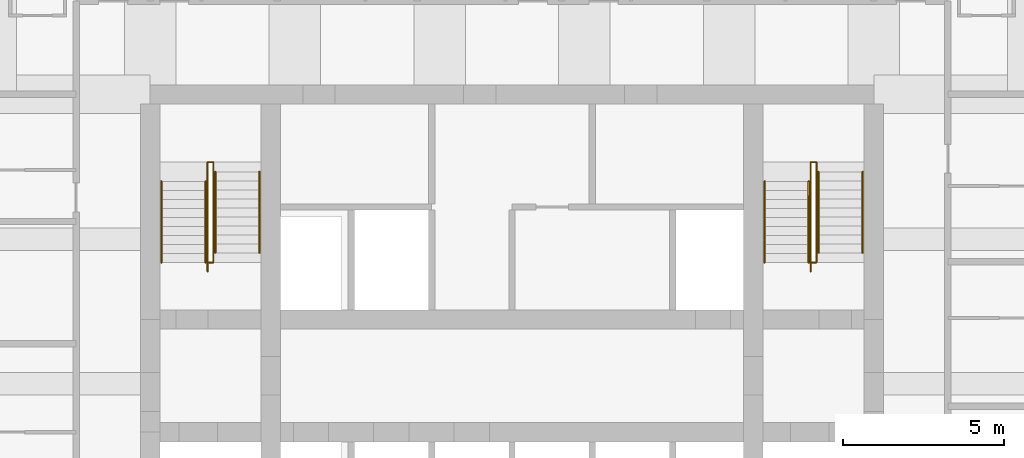
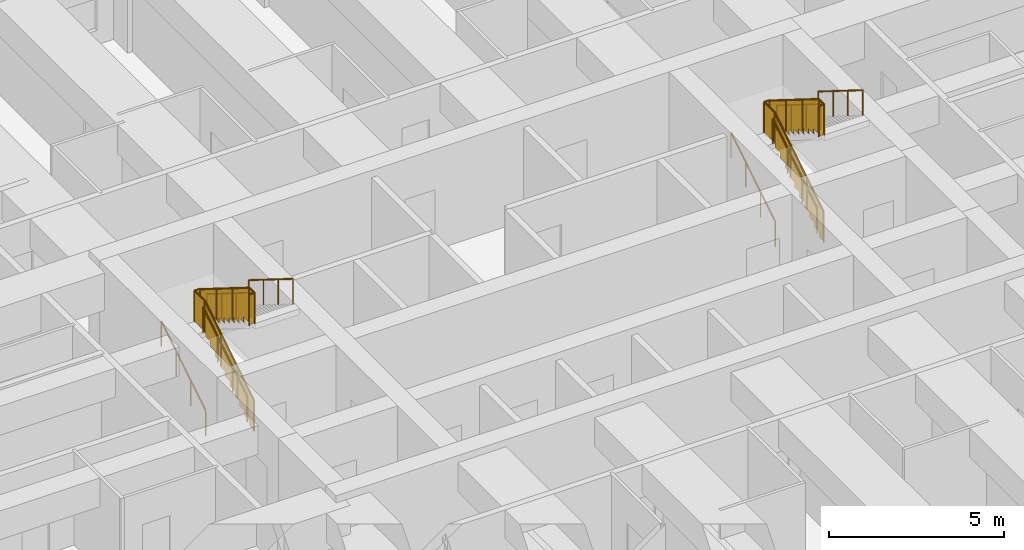
# One storey, part 8 of 8: 12 railings.
"""IFC4 building model written with IfcOpenShell, lengths in metres."""

import ifcopenshell
import ifcopenshell.guid

model = None  # the IFC model being written
_history = None  # IfcOwnerHistory: only IFC2X3 demands one
_inside = {}  # id of a spatial element -> (the spatial element, [elements in it])
_under = {}  # id of a project, library or spatial element -> (it, [spatial elements below it])
_declared = {}  # id of a project -> (the project, [libraries it declares])
_typed = {}  # id of a type object -> (the type object, [elements of that type])
_made_of = {}  # id of a material, layer set ... -> (it, [elements and type objects made of it])


def new_model(schema):
    """Start an empty IFC model of exactly this schema.

    Asked for "IFC4X3", IfcOpenShell would pick the latest addendum, in which some entities
    have other attributes; the version numbers below select the first issue.
    IFC2X3 requires an IfcOwnerHistory on every rooted entity: one is made here for all.
    """
    global model, _history
    if schema == "IFC4X3":
        model = ifcopenshell.file(schema_version=(4, 3, 0, 0))
    else:
        model = ifcopenshell.file(schema=schema)
    _inside.clear()
    _under.clear()
    _declared.clear()
    _typed.clear()
    _made_of.clear()
    _history = None
    if model.schema == "IFC2X3":
        org = make("IfcOrganization", Name="unknown")
        user = make(
            "IfcPersonAndOrganization",
            ThePerson=make("IfcPerson", FamilyName="unknown"),
            TheOrganization=org,
        )
        app = make(
            "IfcApplication",
            ApplicationDeveloper=org,
            Version="unknown",
            ApplicationFullName="unknown",
            ApplicationIdentifier="unknown",
        )
        _history = make(
            "IfcOwnerHistory",
            OwningUser=user,
            OwningApplication=app,
            ChangeAction="ADDED",
            CreationDate=0,
        )
    return model


def make(cls, **values):
    """One entity of the class cls with the attributes given. An attribute that is None is left unset."""
    return model.create_entity(
        cls, **{name: value for name, value in values.items() if value is not None}
    )


def rooted(cls, **values):
    """An entity with a GlobalId (a new one), such as an element, a storey or a relation."""
    return make(cls, GlobalId=ifcopenshell.guid.new(), OwnerHistory=_history, **values)


def si_unit(unit_type, name, prefix=None):
    """IfcSIUnit, for example si_unit("LENGTHUNIT", "METRE", prefix="MILLI")."""
    return make("IfcSIUnit", UnitType=unit_type, Prefix=prefix, Name=name)


def assignment(units):
    """IfcUnitAssignment: the units of a project."""
    return None if units is None else make("IfcUnitAssignment", Units=units)


def point(xyz):
    """IfcCartesianPoint."""
    return None if xyz is None else make("IfcCartesianPoint", Coordinates=xyz)


def direction(xyz):
    """IfcDirection."""
    return None if xyz is None else make("IfcDirection", DirectionRatios=xyz)


def frame(location, z_axis=None, x_axis=None):
    """IfcAxis2Placement3D, a coordinate frame: its origin and axes. An axis left out is left unset."""
    return make(
        "IfcAxis2Placement3D",
        Location=point(location),
        Axis=direction(z_axis),
        RefDirection=direction(x_axis),
    )


def frame_2d(location, x_axis=None):
    """IfcAxis2Placement2D, a coordinate frame in the plane: its origin and x axis."""
    return make(
        "IfcAxis2Placement2D", Location=point(location), RefDirection=direction(x_axis)
    )


def origin():
    """The frame at (0, 0, 0) with its axes left unset."""
    return frame((0.0, 0.0, 0.0))


def origin_2d():
    """The frame at (0, 0) in the plane with its x axis left unset."""
    return frame_2d((0.0, 0.0))


def place(relative_to, where):
    """IfcLocalPlacement: puts the frame where relative to a parent placement (None: the world)."""
    return make(
        "IfcLocalPlacement", PlacementRelTo=relative_to, RelativePlacement=where
    )


def context(
    kind, dimensions, precision=None, world=None, true_north=None, identifier=None
):
    """IfcGeometricRepresentationContext, for example the 3D "Model" context."""
    return make(
        "IfcGeometricRepresentationContext",
        ContextIdentifier=identifier,
        ContextType=kind,
        CoordinateSpaceDimension=dimensions,
        Precision=precision,
        WorldCoordinateSystem=world,
        TrueNorth=true_north,
    )


def subcontext(parent, identifier, kind, view, scale=None):
    """IfcGeometricRepresentationSubContext, for example "Body" below "Model"."""
    return make(
        "IfcGeometricRepresentationSubContext",
        ContextIdentifier=identifier,
        ContextType=kind,
        ParentContext=parent,
        TargetScale=scale,
        TargetView=view,
    )


def project(units=None, contexts=None):
    """IfcProject with its units and contexts."""
    return rooted(
        "IfcProject",
        Name="project",
        RepresentationContexts=contexts,
        UnitsInContext=assignment(units),
    )


def spatial(cls, under=None, at=None, **own):
    """A site, building, storey or space (cls), placed at a placement, below another one or the project."""
    s = rooted(cls, ObjectPlacement=at, **own)
    if under is not None:
        _under.setdefault(under.id(), (under, []))[1].append(s)
    return s


def polyline(points):
    """IfcPolyline through the points."""
    return make("IfcPolyline", Points=[point(p) for p in points])


def profile(cls, at=None, kind="AREA", **sizes):
    """A parametric profile (cls). Its sizes go by their IFC names, for example OverallWidth=200.0."""
    return make(cls, ProfileType=kind, Position=at, **sizes)


def circle(**sizes):
    """IfcCircleProfileDef."""
    return profile("IfcCircleProfileDef", **sizes)


def outline(outer, holes=None, kind="AREA"):
    """IfcArbitraryClosedProfileDef: a profile drawn as a closed curve; with holes, ...WithVoids."""
    if holes is None:
        return make("IfcArbitraryClosedProfileDef", ProfileType=kind, OuterCurve=outer)
    return make(
        "IfcArbitraryProfileDefWithVoids",
        ProfileType=kind,
        OuterCurve=outer,
        InnerCurves=holes,
    )


def extrude(swept, where, along, depth):
    """IfcExtrudedAreaSolid: the profile swept, set in the frame where, extruded along a direction by depth."""
    return make(
        "IfcExtrudedAreaSolid",
        SweptArea=swept,
        Position=where,
        ExtrudedDirection=direction(along),
        Depth=depth,
    )


def shape(context_of_items, identifier, shape_type, items):
    """IfcShapeRepresentation: the items that make up one representation, for example the "Body"."""
    return make(
        "IfcShapeRepresentation",
        ContextOfItems=context_of_items,
        RepresentationIdentifier=identifier,
        RepresentationType=shape_type,
        Items=items,
    )


def material(Name=None, Category=None):
    """IfcMaterial."""
    return make("IfcMaterial", Name=Name, Category=Category)


def made_of(thing, what):
    """Note that an element or type object is made of a material, layer set ...; save() writes the relation."""
    if what is not None:
        _made_of.setdefault(what.id(), (what, []))[1].append(thing)
    return thing


def type_object(cls, material=None, **own):
    """A type object (cls), such as IfcWallType, which elements share."""
    return made_of(rooted(cls, **own), material)


def element(
    cls,
    number,
    at=None,
    inside=None,
    cuts=None,
    type_object=None,
    material=None,
    context=None,
    identifier="Body",
    shape_type=None,
    held_by="IfcProductDefinitionShape",
    body=None,
    shapes=None,
    **own,
):
    """One element of the class cls, such as IfcWall. Its Tag is "e" and its number.

    at: its placement. inside: the storey or other place that contains it. cuts: it is an
    opening in that element (IfcRelVoidsElement). A single representation is given by context,
    identifier, shape_type and body (its items); several are given by shapes. held_by: the class
    of the entity that holds the representations. save() writes the other relations.
    """
    e = rooted(cls, Tag="e%d" % number, ObjectPlacement=at, **own)
    if body is not None:
        shapes = [shape(context, identifier, shape_type, body)]
    if shapes is not None:
        e.Representation = make(held_by, Representations=shapes)
    if inside is not None:
        _inside.setdefault(inside.id(), (inside, []))[1].append(e)
    if cuts is not None:
        rooted(
            "IfcRelVoidsElement", RelatingBuildingElement=cuts, RelatedOpeningElement=e
        )
    if type_object is not None:
        _typed.setdefault(type_object.id(), (type_object, []))[1].append(e)
    return made_of(e, material)


def aggregate(whole, parts):
    """IfcRelAggregates: a whole, such as a stair, and the parts it consists of."""
    return rooted("IfcRelAggregates", RelatingObject=whole, RelatedObjects=parts)


def save(model, path):
    """Write the relations noted so far, then the file.

    IfcRelAggregates (storeys below a building ...), IfcRelContainedInSpatialStructure (elements
    in a storey), IfcRelDefinesByType, IfcRelAssociatesMaterial and IfcRelDeclares: one each for
    every whole, place, type object, material and project.
    """
    for whole, parts in _under.values():
        aggregate(whole, parts)
    for where, things in _inside.values():
        rooted(
            "IfcRelContainedInSpatialStructure",
            RelatedElements=things,
            RelatingStructure=where,
        )
    for kind, things in _typed.values():
        rooted("IfcRelDefinesByType", RelatedObjects=things, RelatingType=kind)
    for what, things in _made_of.values():
        rooted("IfcRelAssociatesMaterial", RelatedObjects=things, RelatingMaterial=what)
    for by, libraries in _declared.values():
        rooted("IfcRelDeclares", RelatingContext=by, RelatedDefinitions=libraries)
    model.write(path)


model = new_model("IFC4")

# Units and contexts
model_context = context("Model", 3, precision=1e-05, world=origin(), true_north=direction((0.0, 1.0)))
body_context = subcontext(model_context, "Body", "Model", "MODEL_VIEW")
ifc_project = project(units=[si_unit("LENGTHUNIT", "METRE"), si_unit("AREAUNIT", "SQUARE_METRE"), si_unit("VOLUMEUNIT", "CUBIC_METRE"), si_unit("PLANEANGLEUNIT", "RADIAN"), si_unit("MASSUNIT", "GRAM", prefix="KILO")], contexts=[model_context])

# Site, building, storey
site_placement = place(None, origin())
site = spatial("IfcSite", under=ifc_project, at=site_placement, CompositionType="ELEMENT")
building_placement = place(site_placement, origin())
building = spatial("IfcBuilding", under=site, at=building_placement, Name="Kilele Tower Hotel", CompositionType="ELEMENT")
storey_placement = place(building_placement, frame((0.0, 0.0, 68.199951171875)))
storey = spatial("IfcBuildingStorey", under=building, at=storey_placement, Name="L16", CompositionType="ELEMENT", Elevation=68.199951171875)

# Railings
ifc_material_1 = material(Name="Steel handrail", Category="steel")
railing_type_1 = type_object("IfcRailingType", Name="Handrail 900", PredefinedType="HANDRAIL", material=ifc_material_1)
for number, where, name in (
    (1, (13.85009765625, 21.77490234375, 0.175048828125), "Handrail ST1 flight 1"),
    (2, (15.22509765625, 21.77490234375, 0.175048828125), "Handrail ST1 flight 1"),
):
    element("IfcRailing", number, at=place(storey_placement, frame(where)), inside=storey, type_object=railing_type_1, Name=name, PredefinedType="HANDRAIL", context=body_context, shape_type="SweptSolid", body=[
        extrude(circle(Radius=0.02490234375, at=origin_2d()), frame((0.0, 0.0, 0.875), z_axis=(0.0, 0.848007534815, 0.529984170421), x_axis=(-1.0, 0.0, 0.0)), (0.0, 0.0, 1.0), 2.9716796875),
        extrude(circle(Radius=0.02001953125, at=origin_2d()), origin(), (0.0, 0.0, 1.0), 0.849853515625),
        extrude(circle(Radius=0.02001953125, at=origin_2d()), frame((0.0, 0.840087890625, 0.52490234375)), (0.0, 0.0, 1.0), 0.849853515625),
        extrude(circle(Radius=0.02001953125, at=origin_2d()), frame((0.0, 1.679931640625, 1.050048828125)), (0.0, 0.0, 1.0), 0.849853515625),
        extrude(circle(Radius=0.02001953125, at=origin_2d()), frame((0.0, 2.52001953125, 1.574951171875)), (0.0, 0.0, 1.0), 0.849853515625),
    ])
for number, where, name in (
    (3, (15.52490234375, 24.594970703125, 1.925048828125), "Handrail ST1 flight 2"),
    (4, (16.89990234375, 24.594970703125, 1.925048828125), "Handrail ST1 flight 2"),
):
    element("IfcRailing", number, at=place(storey_placement, frame(where)), inside=storey, type_object=railing_type_1, Name=name, PredefinedType="HANDRAIL", context=body_context, shape_type="SweptSolid", body=[
        extrude(circle(Radius=0.02490234375, at=origin_2d()), frame((0.0, 0.0, 0.875), z_axis=(0.0, -0.848007534815, 0.529984170421), x_axis=(1.0, 0.0, 0.0)), (0.0, 0.0, 1.0), 2.9716796875),
        extrude(circle(Radius=0.02001953125, at=origin_2d()), origin(), (0.0, 0.0, 1.0), 0.849853515625),
        extrude(circle(Radius=0.02001953125, at=origin_2d()), frame((0.0, -0.840087890625, 0.52490234375)), (0.0, 0.0, 1.0), 0.849853515625),
        extrude(circle(Radius=0.02001953125, at=origin_2d()), frame((0.0, -1.679931640625, 1.050048828125)), (0.0, 0.0, 1.0), 0.849853515625),
        extrude(circle(Radius=0.02001953125, at=origin_2d()), frame((0.0, -2.52001953125, 1.574951171875)), (0.0, 0.0, 1.0), 0.849853515625),
    ])
for number, where, name in (
    (5, (32.60009765625, 21.77490234375, 0.175048828125), "Handrail ST2 flight 1"),
    (6, (33.97509765625, 21.77490234375, 0.175048828125), "Handrail ST2 flight 1"),
):
    element("IfcRailing", number, at=place(storey_placement, frame(where)), inside=storey, type_object=railing_type_1, Name=name, PredefinedType="HANDRAIL", context=body_context, shape_type="SweptSolid", body=[
        extrude(circle(Radius=0.02490234375, at=origin_2d()), frame((0.0, 0.0, 0.875), z_axis=(0.0, 0.848007534815, 0.529984170421), x_axis=(-1.0, 0.0, 0.0)), (0.0, 0.0, 1.0), 2.9716796875),
        extrude(circle(Radius=0.02001953125, at=origin_2d()), origin(), (0.0, 0.0, 1.0), 0.849853515625),
        extrude(circle(Radius=0.02001953125, at=origin_2d()), frame((0.0, 0.840087890625, 0.52490234375)), (0.0, 0.0, 1.0), 0.849853515625),
        extrude(circle(Radius=0.02001953125, at=origin_2d()), frame((0.0, 1.679931640625, 1.050048828125)), (0.0, 0.0, 1.0), 0.849853515625),
        extrude(circle(Radius=0.02001953125, at=origin_2d()), frame((0.0, 2.52001953125, 1.574951171875)), (0.0, 0.0, 1.0), 0.849853515625),
    ])
for number, where, name in (
    (7, (34.27490234375, 24.594970703125, 1.925048828125), "Handrail ST2 flight 2"),
    (8, (35.64990234375, 24.594970703125, 1.925048828125), "Handrail ST2 flight 2"),
):
    element("IfcRailing", number, at=place(storey_placement, frame(where)), inside=storey, type_object=railing_type_1, Name=name, PredefinedType="HANDRAIL", context=body_context, shape_type="SweptSolid", body=[
        extrude(circle(Radius=0.02490234375, at=origin_2d()), frame((0.0, 0.0, 0.875), z_axis=(0.0, -0.848007534815, 0.529984170421), x_axis=(1.0, 0.0, 0.0)), (0.0, 0.0, 1.0), 2.9716796875),
        extrude(circle(Radius=0.02001953125, at=origin_2d()), origin(), (0.0, 0.0, 1.0), 0.849853515625),
        extrude(circle(Radius=0.02001953125, at=origin_2d()), frame((0.0, -0.840087890625, 0.52490234375)), (0.0, 0.0, 1.0), 0.849853515625),
        extrude(circle(Radius=0.02001953125, at=origin_2d()), frame((0.0, -1.679931640625, 1.050048828125)), (0.0, 0.0, 1.0), 0.849853515625),
        extrude(circle(Radius=0.02001953125, at=origin_2d()), frame((0.0, -2.52001953125, 1.574951171875)), (0.0, 0.0, 1.0), 0.849853515625),
    ])
ifc_material_2 = material(Name="Steel guard", Category="steel")
railing_type_2 = type_object("IfcRailingType", Name="Stair guard 1100", PredefinedType="GUARDRAIL", material=ifc_material_2)
railing_1_placement = place(storey_placement, frame((15.284912109375, 21.4951171875, 0.0)))
element("IfcRailing", 9, at=railing_1_placement, inside=storey, type_object=railing_type_2, Name="Stair well guard ST1 flight 1", PredefinedType="GUARDRAIL", context=body_context, shape_type="SweptSolid", body=[
    extrude(circle(Radius=0.02490234375, at=origin_2d()), frame((0.0, 0.0, 1.0751953125), z_axis=(0.0, 0.847981687118, 0.530025526095), x_axis=(-1.0, 0.0, 0.0)), (0.0, 0.0, 1.0), 3.3017578125),
    extrude(circle(Radius=0.02490234375, at=origin_2d()), frame((0.0, 2.7998046875, 2.8251953125), z_axis=(0.0, 1.0, 0.0), x_axis=(-1.0, 0.0, 0.0)), (0.0, 0.0, 1.0), 0.60009765625),
    extrude(circle(Radius=0.02490234375, at=origin_2d()), frame((0.0, 3.39990234375, 2.8251953125), z_axis=(1.0, 0.0, 0.0), x_axis=(0.0, 1.0, 0.0)), (0.0, 0.0, 1.0), 0.18017578125),
    extrude(circle(Radius=0.02490234375, at=origin_2d()), origin(), (0.0, 0.0, 1.0), 1.050048828125),
    extrude(circle(Radius=0.02490234375, at=origin_2d()), frame((0.0, 0.933349609375, 0.583251953125)), (0.0, 0.0, 1.0), 1.050048828125),
    extrude(circle(Radius=0.02490234375, at=origin_2d()), frame((0.0, 1.866455078125, 1.166748046875)), (0.0, 0.0, 1.0), 1.050048828125),
    extrude(circle(Radius=0.02490234375, at=origin_2d()), frame((0.0, 2.7998046875, 1.75)), (0.0, 0.0, 1.0), 1.050048828125),
    extrude(circle(Radius=0.02490234375, at=origin_2d()), frame((0.0, 3.39990234375, 1.75)), (0.0, 0.0, 1.0), 1.050048828125),
    extrude(circle(Radius=0.02490234375, at=origin_2d()), frame((0.18017578125, 3.39990234375, 1.75)), (0.0, 0.0, 1.0), 1.050048828125),
    extrude(outline(polyline([(0.012451171875, 0.030029296875), (0.25, 0.030029296875), (0.25, 0.205078125), (0.530029296875, 0.205078125), (0.530029296875, 0.380126953125), (0.809814453125, 0.380126953125), (0.809814453125, 0.554931640625), (1.08984375, 0.554931640625), (1.08984375, 0.72998046875), (1.369873046875, 0.72998046875), (1.369873046875, 0.905029296875), (1.64990234375, 0.905029296875), (1.64990234375, 1.080078125), (1.929931640625, 1.080078125), (1.929931640625, 1.255126953125), (2.209716796875, 1.255126953125), (2.209716796875, 1.429931640625), (2.48974609375, 1.429931640625), (2.48974609375, 1.60498046875), (2.769775390625, 1.60498046875), (2.769775390625, 1.780029296875), (2.787353515625, 1.780029296875), (2.787353515625, 2.787841796875), (0.012451171875, 1.053466796875), (0.012451171875, 0.030029296875)])), frame((-0.005859375, 0.0, 0.0), z_axis=(1.0, 0.0, 0.0), x_axis=(0.0, 1.0, 0.0)), (0.0, 0.0, 1.0), 0.011962890625),
    extrude(outline(polyline([(0.012451171875, 0.030029296875), (0.587646484375, 0.030029296875), (0.587646484375, 1.050048828125), (0.012451171875, 1.050048828125), (0.012451171875, 0.030029296875)])), frame((-0.005859375, 2.7998046875, 1.75), z_axis=(1.0, 0.0, 0.0), x_axis=(0.0, 1.0, 0.0)), (0.0, 0.0, 1.0), 0.011962890625),
    extrude(outline(polyline([(0.012451171875, 0.030029296875), (0.18017578125, 0.030029296875), (0.18017578125, 1.050048828125), (0.012451171875, 1.050048828125), (0.012451171875, 0.030029296875)])), frame((0.0, 3.40576171875, 1.75), z_axis=(0.0, -1.0, 0.0), x_axis=(1.0, 0.0, 0.0)), (0.0, 0.0, 1.0), 0.011962890625),
])
railing_2_placement = place(storey_placement, frame((15.465087890625, 24.89501953125, 1.75)))
element("IfcRailing", 10, at=railing_2_placement, inside=storey, type_object=railing_type_2, Name="Stair well guard ST1 flight 2", PredefinedType="GUARDRAIL", context=body_context, shape_type="SweptSolid", body=[
    extrude(circle(Radius=0.02490234375, at=origin_2d()), frame((0.0, 0.0, 1.0751953125), z_axis=(0.0, -1.0, 0.0), x_axis=(1.0, 0.0, 0.0)), (0.0, 0.0, 1.0), 0.02001953125),
    extrude(circle(Radius=0.02490234375, at=origin_2d()), frame((0.0, -0.02001953125, 1.0751953125), z_axis=(0.0, -0.848002457836, 0.529992293815), x_axis=(1.0, 0.0, 0.0)), (0.0, 0.0, 1.0), 3.302001953125),
    extrude(circle(Radius=0.02490234375, at=origin_2d()), frame((0.0, -2.820068359375, 2.8251953125), z_axis=(0.0, -1.0, 0.0), x_axis=(1.0, 0.0, 0.0)), (0.0, 0.0, 1.0), 0.300048828125),
    extrude(circle(Radius=0.02490234375, at=origin_2d()), frame((0.0, -3.1201171875, 2.8251953125), z_axis=(-1.0, 0.0, 0.0), x_axis=(0.0, -1.0, 0.0)), (0.0, 0.0, 1.0), 0.18017578125),
    extrude(circle(Radius=0.02490234375, at=origin_2d()), origin(), (0.0, 0.0, 1.0), 1.050048828125),
    extrude(circle(Radius=0.02490234375, at=origin_2d()), frame((0.0, -0.02001953125, 0.0)), (0.0, 0.0, 1.0), 1.050048828125),
    extrude(circle(Radius=0.02490234375, at=origin_2d()), frame((0.0, -0.953369140625, 0.583251953125)), (0.0, 0.0, 1.0), 1.050048828125),
    extrude(circle(Radius=0.02490234375, at=origin_2d()), frame((0.0, -1.88671875, 1.166748046875)), (0.0, 0.0, 1.0), 1.050048828125),
    extrude(circle(Radius=0.02490234375, at=origin_2d()), frame((0.0, -2.820068359375, 1.75)), (0.0, 0.0, 1.0), 1.050048828125),
    extrude(circle(Radius=0.02490234375, at=origin_2d()), frame((0.0, -3.1201171875, 1.75)), (0.0, 0.0, 1.0), 1.050048828125),
    extrude(circle(Radius=0.02490234375, at=origin_2d()), frame((-0.18017578125, -3.1201171875, 1.75)), (0.0, 0.0, 1.0), 1.050048828125),
    extrude(outline(polyline([(0.012451171875, 0.030029296875), (0.25, 0.030029296875), (0.25, 0.205078125), (0.530029296875, 0.205078125), (0.530029296875, 0.380126953125), (0.81005859375, 0.380126953125), (0.81005859375, 0.554931640625), (1.090087890625, 0.554931640625), (1.090087890625, 0.72998046875), (1.3701171875, 0.72998046875), (1.3701171875, 0.905029296875), (1.64990234375, 0.905029296875), (1.64990234375, 1.080078125), (1.929931640625, 1.080078125), (1.929931640625, 1.255126953125), (2.2099609375, 1.255126953125), (2.2099609375, 1.429931640625), (2.489990234375, 1.429931640625), (2.489990234375, 1.60498046875), (2.77001953125, 1.60498046875), (2.77001953125, 1.780029296875), (2.78759765625, 1.780029296875), (2.78759765625, 2.787841796875), (0.012451171875, 1.053466796875), (0.012451171875, 0.030029296875)])), frame((0.005859375, -0.02001953125, 0.0), z_axis=(-1.0, 0.0, 0.0), x_axis=(0.0, -1.0, 0.0)), (0.0, 0.0, 1.0), 0.011962890625),
    extrude(outline(polyline([(0.012451171875, 0.030029296875), (0.28759765625, 0.030029296875), (0.28759765625, 1.050048828125), (0.012451171875, 1.050048828125), (0.012451171875, 0.030029296875)])), frame((0.005859375, -2.820068359375, 1.75), z_axis=(-1.0, 0.0, 0.0), x_axis=(0.0, -1.0, 0.0)), (0.0, 0.0, 1.0), 0.011962890625),
    extrude(outline(polyline([(0.012451171875, 0.030029296875), (0.18017578125, 0.030029296875), (0.18017578125, 1.050048828125), (0.012451171875, 1.050048828125), (0.012451171875, 0.030029296875)])), frame((0.0, -3.1259765625, 1.75), z_axis=(0.0, 1.0, 0.0), x_axis=(-1.0, 0.0, 0.0)), (0.0, 0.0, 1.0), 0.011962890625),
])
railing_3_placement = place(storey_placement, frame((34.034912109375, 21.4951171875, 0.0)))
element("IfcRailing", 11, at=railing_3_placement, inside=storey, type_object=railing_type_2, Name="Stair well guard ST2 flight 1", PredefinedType="GUARDRAIL", context=body_context, shape_type="SweptSolid", body=[
    extrude(circle(Radius=0.02490234375, at=origin_2d()), frame((0.0, 0.0, 1.0751953125), z_axis=(0.0, 0.847981687118, 0.530025526095), x_axis=(-1.0, 0.0, 0.0)), (0.0, 0.0, 1.0), 3.3017578125),
    extrude(circle(Radius=0.02490234375, at=origin_2d()), frame((0.0, 2.7998046875, 2.8251953125), z_axis=(0.0, 1.0, 0.0), x_axis=(-1.0, 0.0, 0.0)), (0.0, 0.0, 1.0), 0.60009765625),
    extrude(circle(Radius=0.02490234375, at=origin_2d()), frame((0.0, 3.39990234375, 2.8251953125), z_axis=(1.0, 0.0, 0.0), x_axis=(0.0, 1.0, 0.0)), (0.0, 0.0, 1.0), 0.18017578125),
    extrude(circle(Radius=0.02490234375, at=origin_2d()), origin(), (0.0, 0.0, 1.0), 1.050048828125),
    extrude(circle(Radius=0.02490234375, at=origin_2d()), frame((0.0, 0.933349609375, 0.583251953125)), (0.0, 0.0, 1.0), 1.050048828125),
    extrude(circle(Radius=0.02490234375, at=origin_2d()), frame((0.0, 1.866455078125, 1.166748046875)), (0.0, 0.0, 1.0), 1.050048828125),
    extrude(circle(Radius=0.02490234375, at=origin_2d()), frame((0.0, 2.7998046875, 1.75)), (0.0, 0.0, 1.0), 1.050048828125),
    extrude(circle(Radius=0.02490234375, at=origin_2d()), frame((0.0, 3.39990234375, 1.75)), (0.0, 0.0, 1.0), 1.050048828125),
    extrude(circle(Radius=0.02490234375, at=origin_2d()), frame((0.18017578125, 3.39990234375, 1.75)), (0.0, 0.0, 1.0), 1.050048828125),
    extrude(outline(polyline([(0.012451171875, 0.030029296875), (0.25, 0.030029296875), (0.25, 0.205078125), (0.530029296875, 0.205078125), (0.530029296875, 0.380126953125), (0.809814453125, 0.380126953125), (0.809814453125, 0.554931640625), (1.08984375, 0.554931640625), (1.08984375, 0.72998046875), (1.369873046875, 0.72998046875), (1.369873046875, 0.905029296875), (1.64990234375, 0.905029296875), (1.64990234375, 1.080078125), (1.929931640625, 1.080078125), (1.929931640625, 1.255126953125), (2.209716796875, 1.255126953125), (2.209716796875, 1.429931640625), (2.48974609375, 1.429931640625), (2.48974609375, 1.60498046875), (2.769775390625, 1.60498046875), (2.769775390625, 1.780029296875), (2.787353515625, 1.780029296875), (2.787353515625, 2.787841796875), (0.012451171875, 1.053466796875), (0.012451171875, 0.030029296875)])), frame((-0.005859375, 0.0, 0.0), z_axis=(1.0, 0.0, 0.0), x_axis=(0.0, 1.0, 0.0)), (0.0, 0.0, 1.0), 0.011962890625),
    extrude(outline(polyline([(0.012451171875, 0.030029296875), (0.587646484375, 0.030029296875), (0.587646484375, 1.050048828125), (0.012451171875, 1.050048828125), (0.012451171875, 0.030029296875)])), frame((-0.005859375, 2.7998046875, 1.75), z_axis=(1.0, 0.0, 0.0), x_axis=(0.0, 1.0, 0.0)), (0.0, 0.0, 1.0), 0.011962890625),
    extrude(outline(polyline([(0.012451171875, 0.030029296875), (0.18017578125, 0.030029296875), (0.18017578125, 1.050048828125), (0.012451171875, 1.050048828125), (0.012451171875, 0.030029296875)])), frame((0.0, 3.40576171875, 1.75), z_axis=(0.0, -1.0, 0.0), x_axis=(1.0, 0.0, 0.0)), (0.0, 0.0, 1.0), 0.011962890625),
])
railing_4_placement = place(storey_placement, frame((34.215087890625, 24.89501953125, 1.75)))
element("IfcRailing", 12, at=railing_4_placement, inside=storey, type_object=railing_type_2, Name="Stair well guard ST2 flight 2", PredefinedType="GUARDRAIL", context=body_context, shape_type="SweptSolid", body=[
    extrude(circle(Radius=0.02490234375, at=origin_2d()), frame((0.0, 0.0, 1.0751953125), z_axis=(0.0, -1.0, 0.0), x_axis=(1.0, 0.0, 0.0)), (0.0, 0.0, 1.0), 0.02001953125),
    extrude(circle(Radius=0.02490234375, at=origin_2d()), frame((0.0, -0.02001953125, 1.0751953125), z_axis=(0.0, -0.848002457836, 0.529992293815), x_axis=(1.0, 0.0, 0.0)), (0.0, 0.0, 1.0), 3.302001953125),
    extrude(circle(Radius=0.02490234375, at=origin_2d()), frame((0.0, -2.820068359375, 2.8251953125), z_axis=(0.0, -1.0, 0.0), x_axis=(1.0, 0.0, 0.0)), (0.0, 0.0, 1.0), 0.300048828125),
    extrude(circle(Radius=0.02490234375, at=origin_2d()), frame((0.0, -3.1201171875, 2.8251953125), z_axis=(-1.0, 0.0, 0.0), x_axis=(0.0, -1.0, 0.0)), (0.0, 0.0, 1.0), 0.18017578125),
    extrude(circle(Radius=0.02490234375, at=origin_2d()), origin(), (0.0, 0.0, 1.0), 1.050048828125),
    extrude(circle(Radius=0.02490234375, at=origin_2d()), frame((0.0, -0.02001953125, 0.0)), (0.0, 0.0, 1.0), 1.050048828125),
    extrude(circle(Radius=0.02490234375, at=origin_2d()), frame((0.0, -0.953369140625, 0.583251953125)), (0.0, 0.0, 1.0), 1.050048828125),
    extrude(circle(Radius=0.02490234375, at=origin_2d()), frame((0.0, -1.88671875, 1.166748046875)), (0.0, 0.0, 1.0), 1.050048828125),
    extrude(circle(Radius=0.02490234375, at=origin_2d()), frame((0.0, -2.820068359375, 1.75)), (0.0, 0.0, 1.0), 1.050048828125),
    extrude(circle(Radius=0.02490234375, at=origin_2d()), frame((0.0, -3.1201171875, 1.75)), (0.0, 0.0, 1.0), 1.050048828125),
    extrude(circle(Radius=0.02490234375, at=origin_2d()), frame((-0.18017578125, -3.1201171875, 1.75)), (0.0, 0.0, 1.0), 1.050048828125),
    extrude(outline(polyline([(0.012451171875, 0.030029296875), (0.25, 0.030029296875), (0.25, 0.205078125), (0.530029296875, 0.205078125), (0.530029296875, 0.380126953125), (0.81005859375, 0.380126953125), (0.81005859375, 0.554931640625), (1.090087890625, 0.554931640625), (1.090087890625, 0.72998046875), (1.3701171875, 0.72998046875), (1.3701171875, 0.905029296875), (1.64990234375, 0.905029296875), (1.64990234375, 1.080078125), (1.929931640625, 1.080078125), (1.929931640625, 1.255126953125), (2.2099609375, 1.255126953125), (2.2099609375, 1.429931640625), (2.489990234375, 1.429931640625), (2.489990234375, 1.60498046875), (2.77001953125, 1.60498046875), (2.77001953125, 1.780029296875), (2.78759765625, 1.780029296875), (2.78759765625, 2.787841796875), (0.012451171875, 1.053466796875), (0.012451171875, 0.030029296875)])), frame((0.005859375, -0.02001953125, 0.0), z_axis=(-1.0, 0.0, 0.0), x_axis=(0.0, -1.0, 0.0)), (0.0, 0.0, 1.0), 0.011962890625),
    extrude(outline(polyline([(0.012451171875, 0.030029296875), (0.28759765625, 0.030029296875), (0.28759765625, 1.050048828125), (0.012451171875, 1.050048828125), (0.012451171875, 0.030029296875)])), frame((0.005859375, -2.820068359375, 1.75), z_axis=(-1.0, 0.0, 0.0), x_axis=(0.0, -1.0, 0.0)), (0.0, 0.0, 1.0), 0.011962890625),
    extrude(outline(polyline([(0.012451171875, 0.030029296875), (0.18017578125, 0.030029296875), (0.18017578125, 1.050048828125), (0.012451171875, 1.050048828125), (0.012451171875, 0.030029296875)])), frame((0.0, -3.1259765625, 1.75), z_axis=(0.0, 1.0, 0.0), x_axis=(-1.0, 0.0, 0.0)), (0.0, 0.0, 1.0), 0.011962890625),
])

save(model, "model.ifc")
